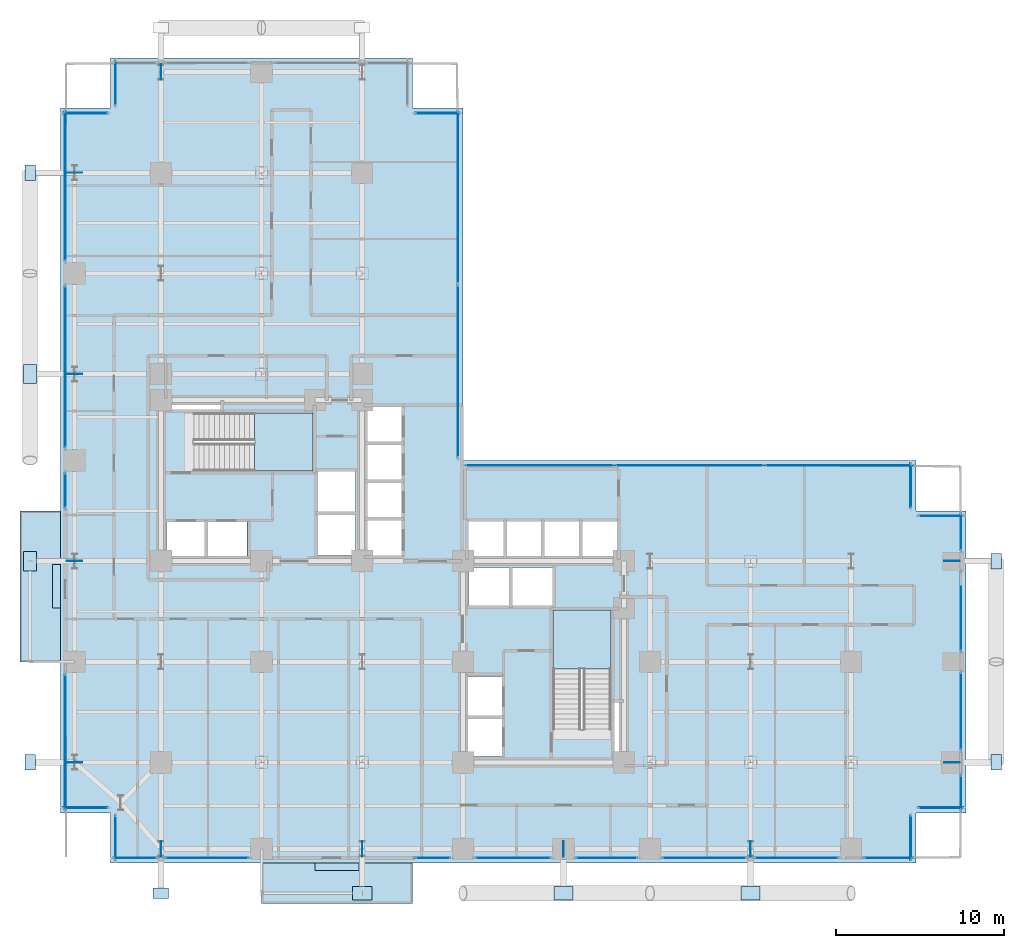
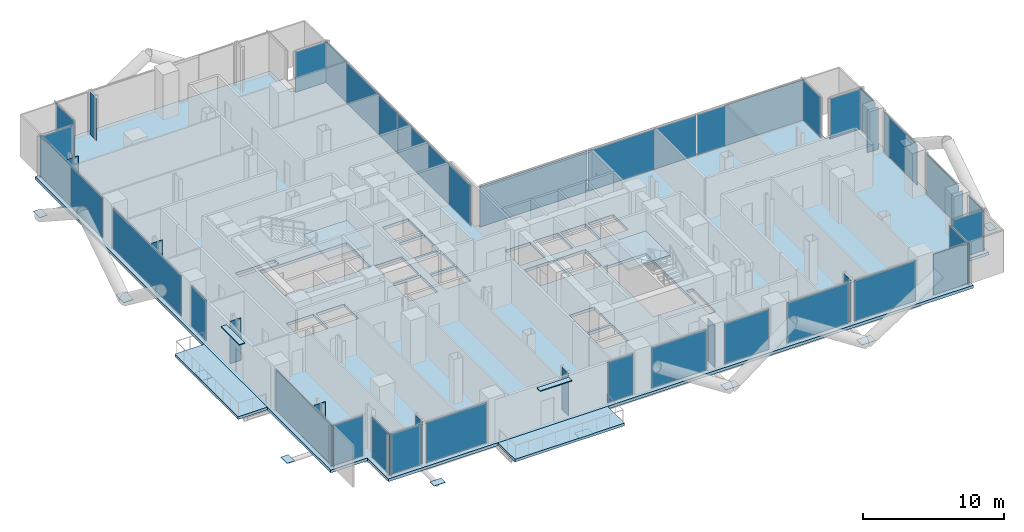
# One storey, part 17 of 25: 53 plates, 5 slabs, 29 elements without a shape of their own.
"""IFC4 building model written with IfcOpenShell, lengths in metres."""

from ifc_helpers import new_model, si_unit, direction, frame, origin, origin_2d, place, context, subcontext, project, spatial, polyline, rectangle, outline, extrude, material, layer, layer_set, type_object, element, aggregate, save


model = new_model("IFC4")

# Units and contexts
model_context = context("Model", 3, precision=1e-05, world=origin(), true_north=direction((0.0, 1.0)))
body_context = subcontext(model_context, "Body", "Model", "MODEL_VIEW")
ifc_project = project(units=[si_unit("LENGTHUNIT", "METRE"), si_unit("AREAUNIT", "SQUARE_METRE"), si_unit("VOLUMEUNIT", "CUBIC_METRE"), si_unit("PLANEANGLEUNIT", "RADIAN"), si_unit("MASSUNIT", "GRAM", prefix="KILO"), si_unit("THERMODYNAMICTEMPERATUREUNIT", "KELVIN"), si_unit("POWERUNIT", "WATT")], contexts=[model_context])

# Site, building, storey
site_placement = place(None, origin())
site = spatial("IfcSite", under=ifc_project, at=site_placement, CompositionType="ELEMENT")
building_placement = place(site_placement, origin())
building = spatial("IfcBuilding", under=site, at=building_placement, Name="Svarakhadi Broadcast Tower", CompositionType="ELEMENT")
storey_placement = place(building_placement, frame((0.0, 0.0, 48.0)))
storey = spatial("IfcBuildingStorey", under=building, at=storey_placement, Name="L10", CompositionType="ELEMENT", Elevation=48.0)

# Curtain wall, plate
ifc_material_1 = material(Name="Anodised Bronze Aluminium AA 6063-T6", Category="aluminium")
ifc_layer_1 = layer(ifc_material_1, 0.219970703125)
ifc_layer_set_1 = layer_set([ifc_layer_1], Name="Anodised Bronze Aluminium AA 6063-T6")
curtain_wall_type = type_object("IfcCurtainWallType", Name="CW_Sys_02", PredefinedType="NOTDEFINED", material=ifc_layer_set_1)
curtain_wall_1_placement = place(storey_placement, origin())
curtain_wall_1 = element("IfcCurtainWall", 1, at=curtain_wall_1_placement, inside=storey, type_object=curtain_wall_type, Name="L10 Unitised Facade Curtain Wall 01", PredefinedType="NOTDEFINED")
ifc_material_2 = material(Name="Double Low-E Laminated Acoustic Glass IGU 36 mm", Category="glass")
ifc_layer_2 = layer(ifc_material_2, 0.035888671875)
ifc_layer_set_2 = layer_set([ifc_layer_2], Name="Double Low-E Laminated Acoustic Glass IGU 36 mm")
plate_type_1 = type_object("IfcPlateType", Name="CW_Sys_02_Pnl", PredefinedType="CURTAIN_PANEL", material=ifc_layer_set_2)
plate_1_placement = place(storey_placement, frame((1.5, 3.300048828125, 0.074951171875), z_axis=(0.0, 0.0, 1.0), x_axis=(-1.0, 0.0, 0.0)))
plate_1 = element("IfcPlate", 2, at=plate_1_placement, type_object=plate_type_1, Name="CW-02 panel 1.1", PredefinedType="CURTAIN_PANEL", context=body_context, shape_type="SweptSolid", body=[
    extrude(rectangle(XDim=2.64990234375, YDim=0.035888671875, at=origin_2d()), origin(), (0.0, 0.0, 1.0), 3.5),
])
aggregate(curtain_wall_1, [plate_1])

curtain_wall_2_placement = place(storey_placement, origin())
curtain_wall_2 = element("IfcCurtainWall", 3, at=curtain_wall_2_placement, inside=storey, type_object=curtain_wall_type, Name="L10 West Curtain Wall 02", PredefinedType="NOTDEFINED")
plate_2_placement = place(storey_placement, frame((0.300048828125, 7.2099609375, 0.074951171875), z_axis=(0.0, 0.0, 1.0), x_axis=(0.0, 1.0, 0.0)))
plate_2 = element("IfcPlate", 4, at=plate_2_placement, type_object=plate_type_1, Name="CW-02 panel 1.1", PredefinedType="CURTAIN_PANEL", context=body_context, shape_type="SweptSolid", body=[
    extrude(rectangle(XDim=8.070068359375, YDim=0.035888671875, at=origin_2d()), origin(), (0.0, 0.0, 1.0), 3.5),
])
aggregate(curtain_wall_2, [plate_2])

curtain_wall_3_placement = place(storey_placement, origin())
curtain_wall_3 = element("IfcCurtainWall", 5, at=curtain_wall_3_placement, inside=storey, type_object=curtain_wall_type, Name="L10 West Curtain Wall 03 Bay 1", PredefinedType="NOTDEFINED")
plate_3_placement = place(storey_placement, frame((0.300048828125, 22.2099609375, 0.074951171875), z_axis=(0.0, 0.0, 1.0), x_axis=(0.0, 1.0, 0.0)))
plate_3 = element("IfcPlate", 6, at=plate_3_placement, type_object=plate_type_1, Name="CW-02 panel 1.1", PredefinedType="CURTAIN_PANEL", context=body_context, shape_type="SweptSolid", body=[
    extrude(rectangle(XDim=2.070068359375, YDim=0.035888671875, at=origin_2d()), origin(), (0.0, 0.0, 1.0), 3.5),
])
aggregate(curtain_wall_3, [plate_3])

curtain_wall_4_placement = place(storey_placement, origin())
curtain_wall_4 = element("IfcCurtainWall", 7, at=curtain_wall_4_placement, inside=storey, type_object=curtain_wall_type, Name="L10 West Curtain Wall 03 Bay 2", PredefinedType="NOTDEFINED")
plate_4_placement = place(storey_placement, frame((0.300048828125, 29.574951171875, 0.074951171875), z_axis=(0.0, 0.0, 1.0), x_axis=(0.0, 1.0, 0.0)))
plate_4 = element("IfcPlate", 8, at=plate_4_placement, type_object=plate_type_1, Name="CW-02 panel 1.1", PredefinedType="CURTAIN_PANEL", context=body_context, shape_type="SweptSolid", body=[
    extrude(rectangle(XDim=9.639892578125, YDim=0.035888671875, at=origin_2d()), origin(), (0.0, 0.0, 1.0), 3.5),
])
aggregate(curtain_wall_4, [plate_4])

curtain_wall_5_placement = place(storey_placement, origin())
curtain_wall_5 = element("IfcCurtainWall", 9, at=curtain_wall_5_placement, inside=storey, type_object=curtain_wall_type, Name="L10 West Curtain Wall 03 Bay 3", PredefinedType="NOTDEFINED")
plate_5_placement = place(storey_placement, frame((0.300048828125, 40.364990234375, 0.074951171875), z_axis=(0.0, 0.0, 1.0), x_axis=(0.0, 1.0, 0.0)))
plate_5 = element("IfcPlate", 10, at=plate_5_placement, type_object=plate_type_1, Name="CW-02 panel 1.1", PredefinedType="CURTAIN_PANEL", context=body_context, shape_type="SweptSolid", body=[
    extrude(rectangle(XDim=8.919921875, YDim=0.035888671875, at=origin_2d()), origin(), (0.0, 0.0, 1.0), 3.5),
])
aggregate(curtain_wall_5, [plate_5])

curtain_wall_6_placement = place(storey_placement, origin())
curtain_wall_6 = element("IfcCurtainWall", 11, at=curtain_wall_6_placement, inside=storey, type_object=curtain_wall_type, Name="L10 Unitised Facade Curtain Wall 04", PredefinedType="NOTDEFINED")
plate_6_placement = place(storey_placement, frame((1.5, 44.699951171875, 0.074951171875), z_axis=(0.0, 0.0, 1.0), x_axis=(1.0, 0.0, 0.0)))
plate_6 = element("IfcPlate", 12, at=plate_6_placement, type_object=plate_type_1, Name="CW-02 panel 1.1", PredefinedType="CURTAIN_PANEL", context=body_context, shape_type="SweptSolid", body=[
    extrude(rectangle(XDim=2.64990234375, YDim=0.035888671875, at=origin_2d()), origin(), (0.0, 0.0, 1.0), 3.5),
])
aggregate(curtain_wall_6, [plate_6])

curtain_wall_7_placement = place(storey_placement, origin())
curtain_wall_7 = element("IfcCurtainWall", 13, at=curtain_wall_7_placement, inside=storey, type_object=curtain_wall_type, Name="L10 Unitised Facade Curtain Wall 05", PredefinedType="NOTDEFINED")
plate_7_placement = place(storey_placement, frame((3.300048828125, 46.5, 0.074951171875), z_axis=(0.0, 0.0, 1.0), x_axis=(0.0, 1.0, 0.0)))
plate_7 = element("IfcPlate", 14, at=plate_7_placement, type_object=plate_type_1, Name="CW-02 panel 1.1", PredefinedType="CURTAIN_PANEL", context=body_context, shape_type="SweptSolid", body=[
    extrude(rectangle(XDim=2.64990234375, YDim=0.035888671875, at=origin_2d()), origin(), (0.0, 0.0, 1.0), 3.5),
])
aggregate(curtain_wall_7, [plate_7])

curtain_wall_8_placement = place(storey_placement, origin())
curtain_wall_8 = element("IfcCurtainWall", 15, at=curtain_wall_8_placement, inside=storey, type_object=curtain_wall_type, Name="L10 Unitised Facade Curtain Wall 08", PredefinedType="NOTDEFINED")
plate_8_placement = place(storey_placement, frame((22.5, 44.699951171875, 0.074951171875), z_axis=(0.0, 0.0, 1.0), x_axis=(1.0, 0.0, 0.0)))
plate_8 = element("IfcPlate", 16, at=plate_8_placement, type_object=plate_type_1, Name="CW-02 panel 1.1", PredefinedType="CURTAIN_PANEL", context=body_context, shape_type="SweptSolid", body=[
    extrude(rectangle(XDim=2.64990234375, YDim=0.035888671875, at=origin_2d()), origin(), (0.0, 0.0, 1.0), 3.5),
])
aggregate(curtain_wall_8, [plate_8])

# Curtain wall, plates
curtain_wall_9_placement = place(storey_placement, origin())
curtain_wall_9 = element("IfcCurtainWall", 17, at=curtain_wall_9_placement, inside=storey, type_object=curtain_wall_type, Name="L10 Unitised Facade Curtain Wall 09", PredefinedType="NOTDEFINED")
plate_9_placement = place(storey_placement, frame((23.699951171875, 39.683837890625, 0.074951171875), z_axis=(0.0, 0.0, 1.0), x_axis=(0.0, -1.0, 0.0)))
plate_9 = element("IfcPlate", 18, at=plate_9_placement, type_object=plate_type_1, Name="CW-02 panel 1.1", PredefinedType="CURTAIN_PANEL", context=body_context, shape_type="SweptSolid", body=[
    extrude(rectangle(XDim=10.282470703125, YDim=0.035888671875, at=origin_2d()), origin(), (0.0, 0.0, 1.0), 3.5),
])
plate_10_placement = place(storey_placement, frame((23.699951171875, 29.316162109375, 0.074951171875), z_axis=(0.0, 0.0, 1.0), x_axis=(0.0, -1.0, 0.0)))
plate_10 = element("IfcPlate", 19, at=plate_10_placement, type_object=plate_type_1, Name="CW-02 panel 2.1", PredefinedType="CURTAIN_PANEL", context=body_context, shape_type="SweptSolid", body=[
    extrude(rectangle(XDim=10.282470703125, YDim=0.035888671875, at=origin_2d()), origin(), (0.0, 0.0, 1.0), 3.5),
])
aggregate(curtain_wall_9, [plate_9, plate_10])

curtain_wall_10_placement = place(storey_placement, origin())
curtain_wall_10 = element("IfcCurtainWall", 20, at=curtain_wall_10_placement, inside=storey, type_object=curtain_wall_type, Name="L10 Unitised Facade Curtain Wall 10", PredefinedType="NOTDEFINED")
plate_11_placement = place(storey_placement, frame((28.581298828125, 23.699951171875, 0.074951171875), z_axis=(0.0, 0.0, 1.0), x_axis=(1.0, 0.0, 0.0)))
plate_11 = element("IfcPlate", 21, at=plate_11_placement, type_object=plate_type_1, Name="CW-02 panel 1.1", PredefinedType="CURTAIN_PANEL", context=body_context, shape_type="SweptSolid", body=[
    extrude(rectangle(XDim=8.8125, YDim=0.035888671875, at=origin_2d()), origin(), (0.0, 0.0, 1.0), 3.5),
])
plate_12_placement = place(storey_placement, frame((37.5, 23.699951171875, 0.074951171875), z_axis=(0.0, 0.0, 1.0), x_axis=(1.0, 0.0, 0.0)))
plate_12 = element("IfcPlate", 22, at=plate_12_placement, type_object=plate_type_1, Name="CW-02 panel 2.1", PredefinedType="CURTAIN_PANEL", context=body_context, shape_type="SweptSolid", body=[
    extrude(rectangle(XDim=8.85498046875, YDim=0.035888671875, at=origin_2d()), origin(), (0.0, 0.0, 1.0), 3.5),
])
plate_13_placement = place(storey_placement, frame((46.418701171875, 23.699951171875, 0.074951171875), z_axis=(0.0, 0.0, 1.0), x_axis=(1.0, 0.0, 0.0)))
plate_13 = element("IfcPlate", 23, at=plate_13_placement, type_object=plate_type_1, Name="CW-02 panel 3.1", PredefinedType="CURTAIN_PANEL", context=body_context, shape_type="SweptSolid", body=[
    extrude(rectangle(XDim=8.8125, YDim=0.035888671875, at=origin_2d()), origin(), (0.0, 0.0, 1.0), 3.5),
])
aggregate(curtain_wall_10, [plate_11, plate_12, plate_13])

# Curtain wall, plate
curtain_wall_11_placement = place(storey_placement, origin())
curtain_wall_11 = element("IfcCurtainWall", 24, at=curtain_wall_11_placement, inside=storey, type_object=curtain_wall_type, Name="L10 Unitised Facade Curtain Wall 11", PredefinedType="NOTDEFINED")
plate_14_placement = place(storey_placement, frame((50.699951171875, 22.5, 0.074951171875), z_axis=(0.0, 0.0, 1.0), x_axis=(0.0, -1.0, 0.0)))
plate_14 = element("IfcPlate", 25, at=plate_14_placement, type_object=plate_type_1, Name="CW-02 panel 1.1", PredefinedType="CURTAIN_PANEL", context=body_context, shape_type="SweptSolid", body=[
    extrude(rectangle(XDim=2.64990234375, YDim=0.035888671875, at=origin_2d()), origin(), (0.0, 0.0, 1.0), 3.5),
])
aggregate(curtain_wall_11, [plate_14])

curtain_wall_12_placement = place(storey_placement, origin())
curtain_wall_12 = element("IfcCurtainWall", 26, at=curtain_wall_12_placement, inside=storey, type_object=curtain_wall_type, Name="L10 Unitised Facade Curtain Wall 12", PredefinedType="NOTDEFINED")
plate_15_placement = place(storey_placement, frame((52.5, 20.699951171875, 0.074951171875), z_axis=(0.0, 0.0, 1.0), x_axis=(1.0, 0.0, 0.0)))
plate_15 = element("IfcPlate", 27, at=plate_15_placement, type_object=plate_type_1, Name="CW-02 panel 1.1", PredefinedType="CURTAIN_PANEL", context=body_context, shape_type="SweptSolid", body=[
    extrude(rectangle(XDim=2.64990234375, YDim=0.035888671875, at=origin_2d()), origin(), (0.0, 0.0, 1.0), 3.5),
])
aggregate(curtain_wall_12, [plate_15])

curtain_wall_13_placement = place(storey_placement, origin())
curtain_wall_13 = element("IfcCurtainWall", 28, at=curtain_wall_13_placement, inside=storey, type_object=curtain_wall_type, Name="L10 Unitised Facade Curtain Wall 13 Bay 1", PredefinedType="NOTDEFINED")
plate_16_placement = place(storey_placement, frame((53.699951171875, 19.739990234375, 0.074951171875), z_axis=(0.0, 0.0, 1.0), x_axis=(0.0, -1.0, 0.0)))
plate_16 = element("IfcPlate", 29, at=plate_16_placement, type_object=plate_type_1, Name="CW-02 panel 1.1", PredefinedType="CURTAIN_PANEL", context=body_context, shape_type="SweptSolid", body=[
    extrude(rectangle(XDim=2.169921875, YDim=0.035888671875, at=origin_2d()), origin(), (0.0, 0.0, 1.0), 3.5),
])
aggregate(curtain_wall_13, [plate_16])

curtain_wall_14_placement = place(storey_placement, origin())
curtain_wall_14 = element("IfcCurtainWall", 30, at=curtain_wall_14_placement, inside=storey, type_object=curtain_wall_type, Name="L10 Unitised Facade Curtain Wall 13 Bay 2", PredefinedType="NOTDEFINED")
plate_17_placement = place(storey_placement, frame((53.699951171875, 15.0, 0.074951171875), z_axis=(0.0, 0.0, 1.0), x_axis=(0.0, -1.0, 0.0)))
plate_17 = element("IfcPlate", 31, at=plate_17_placement, type_object=plate_type_1, Name="CW-02 panel 1.1", PredefinedType="CURTAIN_PANEL", context=body_context, shape_type="SweptSolid", body=[
    extrude(rectangle(XDim=4.68994140625, YDim=0.035888671875, at=origin_2d()), origin(), (0.0, 0.0, 1.0), 3.5),
])
aggregate(curtain_wall_14, [plate_17])

curtain_wall_15_placement = place(storey_placement, origin())
curtain_wall_15 = element("IfcCurtainWall", 32, at=curtain_wall_15_placement, inside=storey, type_object=curtain_wall_type, Name="L10 Unitised Facade Curtain Wall 13 Bay 3", PredefinedType="NOTDEFINED")
plate_18_placement = place(storey_placement, frame((53.699951171875, 9.050048828125, 0.074951171875), z_axis=(0.0, 0.0, 1.0), x_axis=(0.0, -1.0, 0.0)))
plate_18 = element("IfcPlate", 33, at=plate_18_placement, type_object=plate_type_1, Name="CW-02 panel 1.1", PredefinedType="CURTAIN_PANEL", context=body_context, shape_type="SweptSolid", body=[
    extrude(rectangle(XDim=4.590087890625, YDim=0.035888671875, at=origin_2d()), origin(), (0.0, 0.0, 1.0), 3.5),
])
aggregate(curtain_wall_15, [plate_18])

curtain_wall_16_placement = place(storey_placement, origin())
curtain_wall_16 = element("IfcCurtainWall", 34, at=curtain_wall_16_placement, inside=storey, type_object=curtain_wall_type, Name="L10 Unitised Facade Curtain Wall 13 Bay 4", PredefinedType="NOTDEFINED")
plate_19_placement = place(storey_placement, frame((53.699951171875, 4.2099609375, 0.074951171875), z_axis=(0.0, 0.0, 1.0), x_axis=(0.0, -1.0, 0.0)))
plate_19 = element("IfcPlate", 35, at=plate_19_placement, type_object=plate_type_1, Name="CW-02 panel 1.1", PredefinedType="CURTAIN_PANEL", context=body_context, shape_type="SweptSolid", body=[
    extrude(rectangle(XDim=2.070068359375, YDim=0.035888671875, at=origin_2d()), origin(), (0.0, 0.0, 1.0), 3.5),
])
aggregate(curtain_wall_16, [plate_19])

curtain_wall_17_placement = place(storey_placement, origin())
curtain_wall_17 = element("IfcCurtainWall", 36, at=curtain_wall_17_placement, inside=storey, type_object=curtain_wall_type, Name="L10 Unitised Facade Curtain Wall 14", PredefinedType="NOTDEFINED")
plate_20_placement = place(storey_placement, frame((52.5, 3.300048828125, 0.074951171875), z_axis=(0.0, 0.0, 1.0), x_axis=(-1.0, 0.0, 0.0)))
plate_20 = element("IfcPlate", 37, at=plate_20_placement, type_object=plate_type_1, Name="CW-02 panel 1.1", PredefinedType="CURTAIN_PANEL", context=body_context, shape_type="SweptSolid", body=[
    extrude(rectangle(XDim=2.64990234375, YDim=0.035888671875, at=origin_2d()), origin(), (0.0, 0.0, 1.0), 3.5),
])
aggregate(curtain_wall_17, [plate_20])

curtain_wall_18_placement = place(storey_placement, origin())
curtain_wall_18 = element("IfcCurtainWall", 38, at=curtain_wall_18_placement, inside=storey, type_object=curtain_wall_type, Name="L10 Unitised Facade Curtain Wall 15", PredefinedType="NOTDEFINED")
plate_21_placement = place(storey_placement, frame((50.699951171875, 1.5, 0.074951171875), z_axis=(0.0, 0.0, 1.0), x_axis=(0.0, -1.0, 0.0)))
plate_21 = element("IfcPlate", 39, at=plate_21_placement, type_object=plate_type_1, Name="CW-02 panel 1.1", PredefinedType="CURTAIN_PANEL", context=body_context, shape_type="SweptSolid", body=[
    extrude(rectangle(XDim=2.64990234375, YDim=0.035888671875, at=origin_2d()), origin(), (0.0, 0.0, 1.0), 3.5),
])
aggregate(curtain_wall_18, [plate_21])

curtain_wall_19_placement = place(storey_placement, origin())
curtain_wall_19 = element("IfcCurtainWall", 40, at=curtain_wall_19_placement, inside=storey, type_object=curtain_wall_type, Name="L10 South Curtain Wall 16 Bay 1", PredefinedType="NOTDEFINED")
plate_22_placement = place(storey_placement, frame((49.364990234375, 0.300048828125, 0.074951171875), z_axis=(0.0, 0.0, 1.0), x_axis=(-1.0, 0.0, 0.0)))
plate_22 = element("IfcPlate", 41, at=plate_22_placement, type_object=plate_type_1, Name="CW-02 panel 1.1", PredefinedType="CURTAIN_PANEL", context=body_context, shape_type="SweptSolid", body=[
    extrude(rectangle(XDim=2.919921875, YDim=0.035888671875, at=origin_2d()), origin(), (0.0, 0.0, 1.0), 3.5),
])
aggregate(curtain_wall_19, [plate_22])

curtain_wall_20_placement = place(storey_placement, origin())
curtain_wall_20 = element("IfcCurtainWall", 42, at=curtain_wall_20_placement, inside=storey, type_object=curtain_wall_type, Name="L10 South Curtain Wall 16 Bay 2", PredefinedType="NOTDEFINED")
plate_23_placement = place(storey_placement, frame((43.89990234375, 0.300048828125, 0.074951171875), z_axis=(0.0, 0.0, 1.0), x_axis=(-1.0, 0.0, 0.0)))
plate_23 = element("IfcPlate", 43, at=plate_23_placement, type_object=plate_type_1, Name="CW-02 panel 1.1", PredefinedType="CURTAIN_PANEL", context=body_context, shape_type="SweptSolid", body=[
    extrude(rectangle(XDim=4.989990234375, YDim=0.035888671875, at=origin_2d()), origin(), (0.0, 0.0, 1.0), 3.5),
])
aggregate(curtain_wall_20, [plate_23])

curtain_wall_21_placement = place(storey_placement, origin())
curtain_wall_21 = element("IfcCurtainWall", 44, at=curtain_wall_21_placement, inside=storey, type_object=curtain_wall_type, Name="L10 South Curtain Wall 16 Bay 3", PredefinedType="NOTDEFINED")
plate_24_placement = place(storey_placement, frame((38.39990234375, 0.300048828125, 0.074951171875), z_axis=(0.0, 0.0, 1.0), x_axis=(-1.0, 0.0, 0.0)))
plate_24 = element("IfcPlate", 45, at=plate_24_placement, type_object=plate_type_1, Name="CW-02 panel 1.1", PredefinedType="CURTAIN_PANEL", context=body_context, shape_type="SweptSolid", body=[
    extrude(rectangle(XDim=4.989990234375, YDim=0.035888671875, at=origin_2d()), origin(), (0.0, 0.0, 1.0), 3.5),
])
aggregate(curtain_wall_21, [plate_24])

curtain_wall_22_placement = place(storey_placement, origin())
curtain_wall_22 = element("IfcCurtainWall", 46, at=curtain_wall_22_placement, inside=storey, type_object=curtain_wall_type, Name="L10 South Curtain Wall 16 Bay 4", PredefinedType="NOTDEFINED")
plate_25_placement = place(storey_placement, frame((32.574951171875, 0.300048828125, 0.074951171875), z_axis=(0.0, 0.0, 1.0), x_axis=(-1.0, 0.0, 0.0)))
plate_25 = element("IfcPlate", 47, at=plate_25_placement, type_object=plate_type_1, Name="CW-02 panel 1.1", PredefinedType="CURTAIN_PANEL", context=body_context, shape_type="SweptSolid", body=[
    extrude(rectangle(XDim=3.639892578125, YDim=0.035888671875, at=origin_2d()), origin(), (0.0, 0.0, 1.0), 3.5),
])
aggregate(curtain_wall_22, [plate_25])

curtain_wall_23_placement = place(storey_placement, origin())
curtain_wall_23 = element("IfcCurtainWall", 48, at=curtain_wall_23_placement, inside=storey, type_object=curtain_wall_type, Name="L10 South Curtain Wall 16 Bay 5", PredefinedType="NOTDEFINED")
plate_26_placement = place(storey_placement, frame((27.0, 0.300048828125, 0.074951171875), z_axis=(0.0, 0.0, 1.0), x_axis=(-1.0, 0.0, 0.0)))
plate_26 = element("IfcPlate", 49, at=plate_26_placement, type_object=plate_type_1, Name="CW-02 panel 1.1", PredefinedType="CURTAIN_PANEL", context=body_context, shape_type="SweptSolid", body=[
    extrude(rectangle(XDim=4.489990234375, YDim=0.035888671875, at=origin_2d()), origin(), (0.0, 0.0, 1.0), 3.5),
])
aggregate(curtain_wall_23, [plate_26])

curtain_wall_24_placement = place(storey_placement, origin())
curtain_wall_24 = element("IfcCurtainWall", 50, at=curtain_wall_24_placement, inside=storey, type_object=curtain_wall_type, Name="L10 South Curtain Wall 16 Bay 6", PredefinedType="NOTDEFINED")
plate_27_placement = place(storey_placement, frame((22.2099609375, 0.300048828125, 0.074951171875), z_axis=(0.0, 0.0, 1.0), x_axis=(-1.0, 0.0, 0.0)))
plate_27 = element("IfcPlate", 51, at=plate_27_placement, type_object=plate_type_1, Name="CW-02 panel 1.1", PredefinedType="CURTAIN_PANEL", context=body_context, shape_type="SweptSolid", body=[
    extrude(rectangle(XDim=2.070068359375, YDim=0.035888671875, at=origin_2d()), origin(), (0.0, 0.0, 1.0), 3.5),
])
aggregate(curtain_wall_24, [plate_27])

curtain_wall_25_placement = place(storey_placement, origin())
curtain_wall_25 = element("IfcCurtainWall", 52, at=curtain_wall_25_placement, inside=storey, type_object=curtain_wall_type, Name="L10 South Curtain Wall 17 Bay 1", PredefinedType="NOTDEFINED")
plate_28_placement = place(storey_placement, frame((8.75, 0.300048828125, 0.074951171875), z_axis=(0.0, 0.0, 1.0), x_axis=(-1.0, 0.0, 0.0)))
plate_28 = element("IfcPlate", 53, at=plate_28_placement, type_object=plate_type_1, Name="CW-02 panel 1.1", PredefinedType="CURTAIN_PANEL", context=body_context, shape_type="SweptSolid", body=[
    extrude(rectangle(XDim=4.989990234375, YDim=0.035888671875, at=origin_2d()), origin(), (0.0, 0.0, 1.0), 3.5),
])
aggregate(curtain_wall_25, [plate_28])

curtain_wall_26_placement = place(storey_placement, origin())
curtain_wall_26 = element("IfcCurtainWall", 54, at=curtain_wall_26_placement, inside=storey, type_object=curtain_wall_type, Name="L10 South Curtain Wall 17 Bay 2", PredefinedType="NOTDEFINED")
plate_29_placement = place(storey_placement, frame((4.4599609375, 0.300048828125, 0.074951171875), z_axis=(0.0, 0.0, 1.0), x_axis=(-1.0, 0.0, 0.0)))
plate_29 = element("IfcPlate", 55, at=plate_29_placement, type_object=plate_type_1, Name="CW-02 panel 1.1", PredefinedType="CURTAIN_PANEL", context=body_context, shape_type="SweptSolid", body=[
    extrude(rectangle(XDim=2.570068359375, YDim=0.035888671875, at=origin_2d()), origin(), (0.0, 0.0, 1.0), 3.5),
])
aggregate(curtain_wall_26, [plate_29])

curtain_wall_27_placement = place(storey_placement, origin())
curtain_wall_27 = element("IfcCurtainWall", 56, at=curtain_wall_27_placement, inside=storey, type_object=curtain_wall_type, Name="L10 Unitised Facade Curtain Wall 18", PredefinedType="NOTDEFINED")
plate_30_placement = place(storey_placement, frame((3.300048828125, 1.5, 0.074951171875), z_axis=(0.0, 0.0, 1.0), x_axis=(0.0, 1.0, 0.0)))
plate_30 = element("IfcPlate", 57, at=plate_30_placement, type_object=plate_type_1, Name="CW-02 panel 1.1", PredefinedType="CURTAIN_PANEL", context=body_context, shape_type="SweptSolid", body=[
    extrude(rectangle(XDim=2.64990234375, YDim=0.035888671875, at=origin_2d()), origin(), (0.0, 0.0, 1.0), 3.5),
])
aggregate(curtain_wall_27, [plate_30])

# Plates
ifc_material_3 = material(Name="Steel S460ML (IS 2062 E450BR)", Category="steel")
ifc_layer_3 = layer(ifc_material_3, 0.035888671875)
ifc_layer_set_3 = layer_set([ifc_layer_3], Name="Steel S460ML (IS 2062 E450BR)")
plate_type_2 = type_object("IfcPlateType", Name="Node_Gusset_N01", PredefinedType="SHEET", material=ifc_layer_set_3)
for number, where, z_axis, x_axis, name in (
    (58, (18.0, -1.800048828125, -0.25), (0.0, 0.0, 1.0), (1.0, 0.0, 0.0), "L10 Exoskeleton Gusset Node Plate S02"),
    (59, (30.0, -1.800048828125, -0.25), (0.0, 0.0, 1.0), (1.0, 0.0, 0.0), "L10 Exoskeleton Gusset Node Plate S03"),
    (60, (41.14990234375, -1.800048828125, -0.25), (0.0, 0.0, 1.0), (1.0, 0.0, 0.0), "L10 Exoskeleton Gusset Node Plate S04"),
    (61, (-1.800048828125, 18.0, -0.25), (0.0, 0.0, 1.0), (0.0, 1.0, 0.0), "L10 Exoskeleton Gusset Node Plate W06"),
    (62, (-1.800048828125, 29.14990234375, -0.25), (0.0, 0.0, 1.0), (0.0, 1.0, 0.0), "L10 Exoskeleton Gusset Node Plate W07"),
):
    element("IfcPlate", number, at=place(storey_placement, frame(where, z_axis=z_axis, x_axis=x_axis)), inside=storey, type_object=plate_type_2, Name=name, PredefinedType="SHEET", context=body_context, shape_type="SweptSolid", body=[
        extrude(rectangle(XDim=1.14990234375, YDim=0.780029296875, at=origin_2d()), origin(), (0.0, 0.0, 1.0), 0.035888671875),
    ])
ifc_layer_4 = layer(ifc_material_3, 0.02587890625)
ifc_layer_set_4 = layer_set([ifc_layer_4], Name="Steel S460ML (IS 2062 E450BR)")
plate_type_3 = type_object("IfcPlateType", Name="Node_Gusset_N07", PredefinedType="SHEET", material=ifc_layer_set_4)
for number, where, z_axis, x_axis, name in (
    (63, (6.0, -1.800048828125, -0.25), (0.0, 0.0, 1.0), (1.0, 0.0, 0.0), "L10 Exoskeleton Gusset Node Plate S01"),
    (64, (-1.800048828125, 6.0, -0.25), (0.0, 0.0, 1.0), (0.0, 1.0, 0.0), "L10 Exoskeleton Gusset Node Plate W05"),
    (65, (-1.800048828125, 41.14990234375, -0.25), (0.0, 0.0, 1.0), (0.0, 1.0, 0.0), "L10 Exoskeleton Gusset Node Plate W08"),
    (66, (55.800048828125, 6.0, -0.25), (0.0, 0.0, 1.0), (0.0, 1.0, 0.0), "L10 Exoskeleton Gusset Node Plate E09"),
    (67, (55.800048828125, 18.0, -0.25), (0.0, 0.0, 1.0), (0.0, 1.0, 0.0), "L10 Exoskeleton Gusset Node Plate E10"),
):
    element("IfcPlate", number, at=place(storey_placement, frame(where, z_axis=z_axis, x_axis=x_axis)), inside=storey, type_object=plate_type_3, Name=name, PredefinedType="SHEET", context=body_context, shape_type="SweptSolid", body=[
        extrude(rectangle(XDim=0.919921875, YDim=0.6201171875, at=origin_2d()), origin(), (0.0, 0.0, 1.0), 0.02587890625),
    ])
for number, where, z_axis, x_axis, name in (
    (68, (6.0, 0.85009765625, -0.6279296875), (0.0, 0.0, 1.0), (0.0, 1.0, 0.0), "L10 Brace End Connection Gusset Plate N-07-E0053"),
    (69, (18.0, 0.85009765625, -0.6279296875), (0.0, 0.0, 1.0), (0.0, 1.0, 0.0), "L10 Brace End Connection Gusset Plate N-07-E0054"),
    (70, (30.0, 0.85009765625, -0.6279296875), (0.0, 0.0, 1.0), (0.0, 1.0, 0.0), "L10 Brace End Connection Gusset Plate N-07-E0055"),
    (71, (41.14990234375, 0.85009765625, -0.6279296875), (0.0, 0.0, 1.0), (0.0, 1.0, 0.0), "L10 Brace End Connection Gusset Plate N-07-E0056"),
    (72, (0.85009765625, 6.0, -0.6279296875), (0.0, 0.0, 1.0), (1.0, 0.0, 0.0), "L10 Brace End Connection Gusset Plate N-07-E0057"),
    (73, (0.85009765625, 18.0, -0.6279296875), (0.0, 0.0, 1.0), (1.0, 0.0, 0.0), "L10 Brace End Connection Gusset Plate N-07-E0058"),
    (74, (0.85009765625, 29.14990234375, -0.6279296875), (0.0, 0.0, 1.0), (1.0, 0.0, 0.0), "L10 Brace End Connection Gusset Plate N-07-E0059"),
    (75, (0.85009765625, 41.14990234375, -0.6279296875), (0.0, 0.0, 1.0), (1.0, 0.0, 0.0), "L10 Brace End Connection Gusset Plate N-07-E0060"),
    (76, (53.14990234375, 6.0, -0.6279296875), (0.0, 0.0, 1.0), (1.0, 0.0, 0.0), "L10 Brace End Connection Gusset Plate N-07-E0061"),
    (77, (53.14990234375, 18.0, -0.6279296875), (0.0, 0.0, 1.0), (1.0, 0.0, 0.0), "L10 Brace End Connection Gusset Plate N-07-E0062"),
    (78, (6.0, 47.14990234375, -0.6279296875), (0.0, 0.0, 1.0), (0.0, 1.0, 0.0), "L10 Brace End Connection Gusset Plate N-07-E0063"),
):
    element("IfcPlate", number, at=place(storey_placement, frame(where, z_axis=z_axis, x_axis=x_axis)), inside=storey, type_object=plate_type_3, Name=name, PredefinedType="SHEET", context=body_context, shape_type="SweptSolid", body=[
        extrude(rectangle(XDim=0.919921875, YDim=0.02587890625, at=origin_2d()), origin(), (0.0, 0.0, 1.0), 4.300048828125),
    ])

# Slab
ifc_material_4 = material(Name="Concrete C40/50 (IS 456 M50)", Category="concrete")
ifc_layer_5 = layer(ifc_material_4, 0.25)
ifc_layer_set_5 = layer_set([ifc_layer_5], Name="Concrete C40/50 (IS 456 M50)")
slab_type_1 = type_object("IfcSlabType", Name="Slab_Floor_250", PredefinedType="FLOOR", material=ifc_layer_set_5)
slab_1_placement = place(storey_placement, frame((0.0, 0.0, -0.25)))
element("IfcSlab", 79, at=slab_1_placement, inside=storey, type_object=slab_type_1, Name="L10 Structural Floor Slab", PredefinedType="FLOOR", context=body_context, shape_type="SweptSolid", body=[
    extrude(outline(polyline([(3.0, 0.0), (51.0, 0.0), (51.0, 3.0), (54.0, 3.0), (54.0, 21.0), (51.0, 21.0), (51.0, 24.0), (24.0, 24.0), (24.0, 45.0), (21.0, 45.0), (21.0, 48.0), (3.0, 48.0), (3.0, 45.0), (0.0, 45.0), (0.0, 3.0), (3.0, 3.0), (3.0, 0.0)]), holes=[polyline([(7.97998046875, 23.360107421875), (15.080078125, 23.360107421875), (15.080078125, 26.840087890625), (7.97998046875, 26.840087890625), (7.97998046875, 23.360107421875)]), polyline([(32.840087890625, 7.97998046875), (32.840087890625, 15.080078125), (29.360107421875, 15.080078125), (29.360107421875, 7.97998046875), (32.840087890625, 7.97998046875)]), polyline([(6.340087890625, 18.2900390625), (8.610107421875, 18.2900390625), (8.610107421875, 20.330078125), (6.340087890625, 20.330078125), (6.340087890625, 18.2900390625)]), polyline([(8.7900390625, 18.2900390625), (11.1298828125, 18.2900390625), (11.1298828125, 20.330078125), (8.7900390625, 20.330078125), (8.7900390625, 18.2900390625)]), polyline([(24.2900390625, 6.340087890625), (26.330078125, 6.340087890625), (26.330078125, 8.610107421875), (24.2900390625, 8.610107421875), (24.2900390625, 6.340087890625)]), polyline([(24.2900390625, 8.7900390625), (26.330078125, 8.7900390625), (26.330078125, 11.1298828125), (24.2900390625, 11.1298828125), (24.2900390625, 8.7900390625)]), polyline([(6.340087890625, 26.989990234375), (9.610107421875, 26.989990234375), (9.610107421875, 27.530029296875), (6.340087890625, 27.530029296875), (6.340087890625, 26.989990234375)]), polyline([(32.989990234375, 6.340087890625), (33.530029296875, 6.340087890625), (33.530029296875, 9.610107421875), (32.989990234375, 9.610107421875), (32.989990234375, 6.340087890625)]), polyline([(15.340087890625, 18.340087890625), (17.610107421875, 18.340087890625), (17.610107421875, 20.760009765625), (15.340087890625, 20.760009765625), (15.340087890625, 18.340087890625)]), polyline([(15.340087890625, 20.93994140625), (17.610107421875, 20.93994140625), (17.610107421875, 23.360107421875), (15.340087890625, 23.360107421875), (15.340087890625, 20.93994140625)]), polyline([(24.340087890625, 15.340087890625), (26.760009765625, 15.340087890625), (26.760009765625, 17.610107421875), (24.340087890625, 17.610107421875), (24.340087890625, 15.340087890625)]), polyline([(26.93994140625, 15.340087890625), (29.360107421875, 15.340087890625), (29.360107421875, 17.610107421875), (26.93994140625, 17.610107421875), (26.93994140625, 15.340087890625)]), polyline([(18.239990234375, 18.340087890625), (20.360107421875, 18.340087890625), (20.360107421875, 20.429931640625), (18.239990234375, 20.429931640625), (18.239990234375, 18.340087890625)]), polyline([(18.239990234375, 20.610107421875), (20.360107421875, 20.610107421875), (20.360107421875, 22.679931640625), (18.239990234375, 22.679931640625), (18.239990234375, 20.610107421875)]), polyline([(18.239990234375, 22.860107421875), (20.360107421875, 22.860107421875), (20.360107421875, 24.929931640625), (18.239990234375, 24.929931640625), (18.239990234375, 22.860107421875)]), polyline([(18.239990234375, 25.110107421875), (20.360107421875, 25.110107421875), (20.360107421875, 27.2099609375), (18.239990234375, 27.2099609375), (18.239990234375, 25.110107421875)]), polyline([(24.340087890625, 18.239990234375), (26.429931640625, 18.239990234375), (26.429931640625, 20.360107421875), (24.340087890625, 20.360107421875), (24.340087890625, 18.239990234375)]), polyline([(26.610107421875, 18.239990234375), (28.679931640625, 18.239990234375), (28.679931640625, 20.360107421875), (26.610107421875, 20.360107421875), (26.610107421875, 18.239990234375)]), polyline([(28.860107421875, 18.239990234375), (30.929931640625, 18.239990234375), (30.929931640625, 20.360107421875), (28.860107421875, 20.360107421875), (28.860107421875, 18.239990234375)]), polyline([(31.110107421875, 18.239990234375), (33.2099609375, 18.239990234375), (33.2099609375, 20.360107421875), (31.110107421875, 20.360107421875), (31.110107421875, 18.239990234375)])]), origin(), (0.0, 0.0, 1.0), 0.25),
])

# Stair, slab
stair_type = type_object("IfcStairType", Name="Stair_Exit_Core", PredefinedType="HALF_TURN_STAIR", material=ifc_material_4)
stair_1_placement = place(storey_placement, origin())
stair_1 = element("IfcStair", 80, at=stair_1_placement, inside=storey, type_object=stair_type, Name="L10 West Core Protected Exit Stair ST-01", PredefinedType="HALF_TURN_STAIR")
ifc_layer_6 = layer(ifc_material_4, 0.199951171875)
ifc_layer_set_6 = layer_set([ifc_layer_6], Name="Concrete C40/50 (IS 456 M50)")
slab_type_2 = type_object("IfcSlabType", Name="Slab_Stair_Land", PredefinedType="LANDING", material=ifc_layer_set_6)
slab_2_placement = place(storey_placement, frame((0.0, 0.0, 1.75)))
slab_2 = element("IfcSlab", 81, at=slab_2_placement, type_object=slab_type_2, Name="ST-01 landing 1", PredefinedType="LANDING", context=body_context, shape_type="SweptSolid", body=[
    extrude(outline(polyline([(11.580078125, 23.360107421875), (15.080078125, 23.360107421875), (15.080078125, 26.840087890625), (11.580078125, 26.840087890625), (11.580078125, 23.360107421875)])), origin(), (0.0, 0.0, 1.0), 0.199951171875),
])
aggregate(stair_1, [slab_2])

stair_2_placement = place(storey_placement, origin())
stair_2 = element("IfcStair", 82, at=stair_2_placement, inside=storey, type_object=stair_type, Name="L10 East Core Protected Exit Stair ST-02", PredefinedType="HALF_TURN_STAIR")
slab_3_placement = place(storey_placement, frame((0.0, 0.0, 1.75)))
slab_3 = element("IfcSlab", 83, at=slab_3_placement, type_object=slab_type_2, Name="ST-02 landing 1", PredefinedType="LANDING", context=body_context, shape_type="SweptSolid", body=[
    extrude(outline(polyline([(32.840087890625, 11.580078125), (32.840087890625, 15.080078125), (29.360107421875, 15.080078125), (29.360107421875, 11.580078125), (32.840087890625, 11.580078125)])), origin(), (0.0, 0.0, 1.0), 0.199951171875),
])
aggregate(stair_2, [slab_3])

# Slabs
ifc_layer_7 = layer(ifc_material_4, 0.22509765625)
ifc_layer_set_7 = layer_set([ifc_layer_7], Name="Concrete C40/50 (IS 456 M50)")
slab_type_3 = type_object("IfcSlabType", Name="Slab_TreeBalcony", PredefinedType="FLOOR", material=ifc_layer_set_7)
slab_4_placement = place(storey_placement, frame((0.0, 0.0, -0.22509765625)))
element("IfcSlab", 84, at=slab_4_placement, inside=storey, type_object=slab_type_3, Name="L10 Planted Tree Balcony Slab BAL-S", PredefinedType="FLOOR", context=body_context, shape_type="SweptSolid", body=[
    extrude(outline(polyline([(12.0, -2.39990234375), (21.0, -2.39990234375), (21.0, 0.0), (12.0, 0.0), (12.0, -2.39990234375)])), origin(), (0.0, 0.0, 1.0), 0.22509765625),
])
slab_5_placement = place(storey_placement, frame((0.0, 0.0, -0.22509765625)))
element("IfcSlab", 85, at=slab_5_placement, inside=storey, type_object=slab_type_3, Name="L10 Planted Tree Balcony Slab BAL-W", PredefinedType="FLOOR", context=body_context, shape_type="SweptSolid", body=[
    extrude(outline(polyline([(-2.39990234375, 12.0), (0.0, 12.0), (0.0, 21.0), (-2.39990234375, 21.0), (-2.39990234375, 12.0)])), origin(), (0.0, 0.0, 1.0), 0.22509765625),
])

# Plates
ifc_layer_8 = layer(ifc_material_1, 0.080078125)
ifc_layer_set_8 = layer_set([ifc_layer_8], Name="Anodised Bronze Aluminium AA 6063-T6")
plate_type_4 = type_object("IfcPlateType", Name="Sunshade_Fin_SS01", PredefinedType="USERDEFINED", material=ifc_layer_set_8)
for number, where, z_axis, x_axis, name in (
    (86, (16.5, -0.22509765625, 3.570068359375), (0.0, 0.0, 1.0), (1.0, 0.0, 0.0), "L10 South Bronze Brise-Soleil Sunshade SS-01"),
    (87, (-0.22509765625, 16.5, 3.570068359375), (0.0, 0.0, 1.0), (0.0, 1.0, 0.0), "L10 West Bronze Brise-Soleil Sunshade SS-01"),
):
    element("IfcPlate", number, at=place(storey_placement, frame(where, z_axis=z_axis, x_axis=x_axis)), inside=storey, type_object=plate_type_4, Name=name, ObjectType="SUNSHADE", PredefinedType="USERDEFINED", context=body_context, shape_type="SweptSolid", body=[
        extrude(rectangle(XDim=2.60009765625, YDim=0.449951171875, at=origin_2d()), origin(), (0.0, 0.0, 1.0), 0.080078125),
    ])

save(model, "model.ifc")
